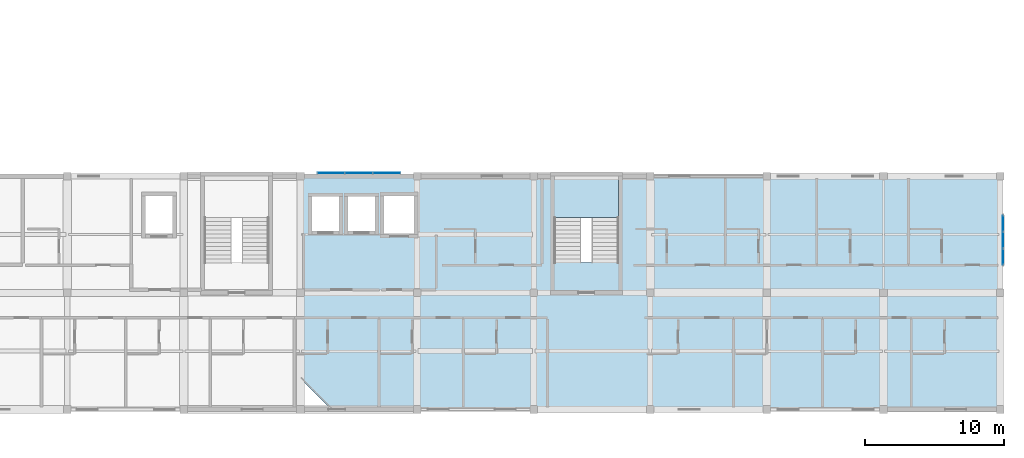
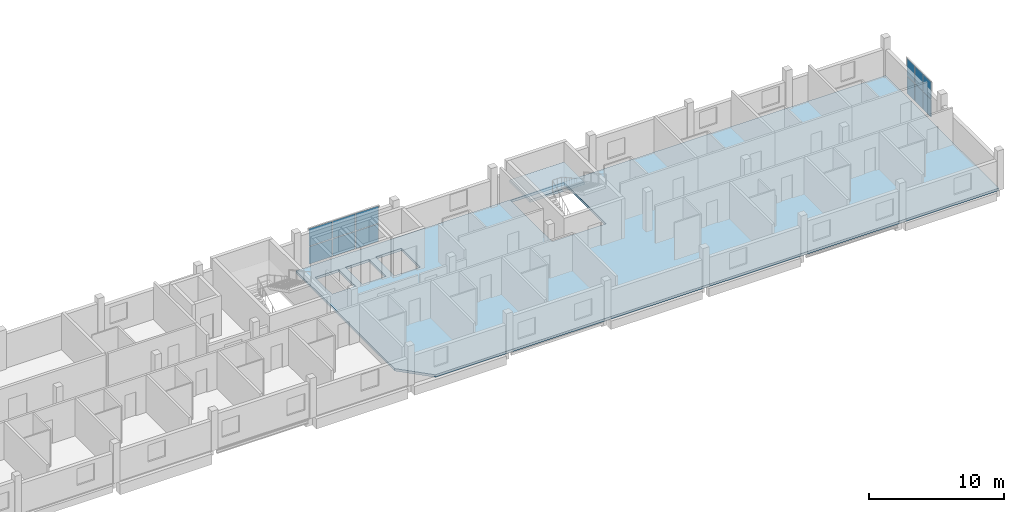
# One storey, part 8 of 20: 12 plates, 2 slabs, 3 elements without a shape of their own.
"""IFC4 building model written with IfcOpenShell, lengths in metres."""

from ifc_helpers import new_model, si_unit, derived_unit, direction, frame, origin, origin_2d, place, context, subcontext, project, spatial, polyline, rectangle, outline, extrude, material, layer, layer_set, type_object, element, aggregate, save


model = new_model("IFC4")

# Units and contexts
model_context = context("Model", 3, precision=1e-05, world=origin(), true_north=direction((0.0, 1.0)))
body_context = subcontext(model_context, "Body", "Model", "MODEL_VIEW")
ifc_project = project(units=[si_unit("LENGTHUNIT", "METRE"), si_unit("AREAUNIT", "SQUARE_METRE"), si_unit("VOLUMEUNIT", "CUBIC_METRE"), si_unit("PLANEANGLEUNIT", "RADIAN"), si_unit("MASSUNIT", "GRAM", prefix="KILO"), derived_unit("THERMALTRANSMITTANCEUNIT", [(si_unit("POWERUNIT", "WATT"), 1), (si_unit("LENGTHUNIT", "METRE"), -2), (si_unit("THERMODYNAMICTEMPERATUREUNIT", "KELVIN"), -1)])], contexts=[model_context])

# Site, building, storey
site_placement = place(None, origin())
site = spatial("IfcSite", under=ifc_project, at=site_placement, CompositionType="ELEMENT")
building_placement = place(site_placement, origin())
building = spatial("IfcBuilding", under=site, at=building_placement, Name="Barrovel Congress Hotel", CompositionType="ELEMENT")
storey_placement = place(building_placement, frame((0.0, 0.0, 36.300048828125)))
storey = spatial("IfcBuildingStorey", under=building, at=storey_placement, Name="L09", CompositionType="ELEMENT", Elevation=36.300048828125)

# Curtain wall, plates
ifc_material_1 = material(Name="Anodised Aluminium Alloy 6063-T6", Category="aluminium")
curtain_wall_type_1 = type_object("IfcCurtainWallType", Name="CW-UN-6000x3200", PredefinedType="USERDEFINED", material=ifc_material_1)
curtain_wall_1_placement = place(storey_placement, origin())
curtain_wall_1 = element("IfcCurtainWall", 1, at=curtain_wall_1_placement, inside=storey, type_object=curtain_wall_type_1, Name="CW:L09:UN-4", ObjectType="UNITISED CURTAIN WALL", PredefinedType="USERDEFINED")
ifc_material_2 = material(Name="Double Low-E Insulated Glazing", Category="glass")
ifc_layer_1 = layer(ifc_material_2, 0.028076171875)
ifc_layer_set_1 = layer_set([ifc_layer_1], Name="Double Low-E Insulated Glazing")
plate_type_1 = type_object("IfcPlateType", Name="CWP-28", PredefinedType="CURTAIN_PANEL", material=ifc_layer_set_1)
plate_1_placement = place(storey_placement, frame((86.199951171875, 21.219970703125, 0.030029296875), z_axis=(0.0, 0.0, 1.0), x_axis=(1.0, 0.0, 0.0)))
plate_1 = element("IfcPlate", 2, at=plate_1_placement, type_object=plate_type_1, Name="CW:L09:UN-4:P0-0", PredefinedType="CURTAIN_PANEL", context=body_context, shape_type="SweptSolid", body=[
    extrude(rectangle(XDim=1.93994140625, YDim=0.028076171875, at=origin_2d()), origin(), (0.0, 0.0, 1.0), 1.56494140625),
])
plate_2_placement = place(storey_placement, frame((86.199951171875, 21.219970703125, 1.655029296875), z_axis=(0.0, 0.0, 1.0), x_axis=(1.0, 0.0, 0.0)))
plate_2 = element("IfcPlate", 3, at=plate_2_placement, type_object=plate_type_1, Name="CW:L09:UN-4:P0-1", PredefinedType="CURTAIN_PANEL", context=body_context, shape_type="SweptSolid", body=[
    extrude(rectangle(XDim=1.93994140625, YDim=0.028076171875, at=origin_2d()), origin(), (0.0, 0.0, 1.0), 1.56494140625),
])
plate_3_placement = place(storey_placement, frame((88.199951171875, 21.219970703125, 0.030029296875), z_axis=(0.0, 0.0, 1.0), x_axis=(1.0, 0.0, 0.0)))
plate_3 = element("IfcPlate", 4, at=plate_3_placement, type_object=plate_type_1, Name="CW:L09:UN-4:P1-0", PredefinedType="CURTAIN_PANEL", context=body_context, shape_type="SweptSolid", body=[
    extrude(rectangle(XDim=1.93994140625, YDim=0.028076171875, at=origin_2d()), origin(), (0.0, 0.0, 1.0), 1.56494140625),
])
plate_4_placement = place(storey_placement, frame((88.199951171875, 21.219970703125, 1.655029296875), z_axis=(0.0, 0.0, 1.0), x_axis=(1.0, 0.0, 0.0)))
plate_4 = element("IfcPlate", 5, at=plate_4_placement, type_object=plate_type_1, Name="CW:L09:UN-4:P1-1", PredefinedType="CURTAIN_PANEL", context=body_context, shape_type="SweptSolid", body=[
    extrude(rectangle(XDim=1.93994140625, YDim=0.028076171875, at=origin_2d()), origin(), (0.0, 0.0, 1.0), 1.56494140625),
])
plate_5_placement = place(storey_placement, frame((90.199951171875, 21.219970703125, 0.030029296875), z_axis=(0.0, 0.0, 1.0), x_axis=(1.0, 0.0, 0.0)))
plate_5 = element("IfcPlate", 6, at=plate_5_placement, type_object=plate_type_1, Name="CW:L09:UN-4:P2-0", PredefinedType="CURTAIN_PANEL", context=body_context, shape_type="SweptSolid", body=[
    extrude(rectangle(XDim=1.93994140625, YDim=0.028076171875, at=origin_2d()), origin(), (0.0, 0.0, 1.0), 1.56494140625),
])
plate_6_placement = place(storey_placement, frame((90.199951171875, 21.219970703125, 1.655029296875), z_axis=(0.0, 0.0, 1.0), x_axis=(1.0, 0.0, 0.0)))
plate_6 = element("IfcPlate", 7, at=plate_6_placement, type_object=plate_type_1, Name="CW:L09:UN-4:P2-1", PredefinedType="CURTAIN_PANEL", context=body_context, shape_type="SweptSolid", body=[
    extrude(rectangle(XDim=1.93994140625, YDim=0.028076171875, at=origin_2d()), origin(), (0.0, 0.0, 1.0), 1.56494140625),
])
aggregate(curtain_wall_1, [plate_1, plate_2, plate_3, plate_4, plate_5, plate_6])

curtain_wall_type_2 = type_object("IfcCurtainWallType", Name="CW-UN-3600x3200", PredefinedType="USERDEFINED", material=ifc_material_1)
curtain_wall_2_placement = place(storey_placement, origin())
curtain_wall_2 = element("IfcCurtainWall", 8, at=curtain_wall_2_placement, inside=storey, type_object=curtain_wall_type_2, Name="CW:L09:UN-1", ObjectType="UNITISED CURTAIN WALL", PredefinedType="USERDEFINED")
ifc_layer_2 = layer(ifc_material_2, 0.031982421875)
ifc_layer_set_2 = layer_set([ifc_layer_2], Name="Double Low-E Insulated Glazing")
plate_type_2 = type_object("IfcPlateType", Name="CWP-32", PredefinedType="CURTAIN_PANEL", material=ifc_layer_set_2)
plate_7_placement = place(storey_placement, frame((134.6201171875, 15.199951171875, 0.030029296875), z_axis=(0.0, 0.0, 1.0), x_axis=(0.0, 1.0, 0.0)))
plate_7 = element("IfcPlate", 9, at=plate_7_placement, type_object=plate_type_2, Name="CW:L09:UN-1:P0-0", PredefinedType="CURTAIN_PANEL", context=body_context, shape_type="SweptSolid", body=[
    extrude(rectangle(XDim=1.139892578125, YDim=0.031982421875, at=origin_2d()), origin(), (0.0, 0.0, 1.0), 1.56494140625),
])
plate_8_placement = place(storey_placement, frame((134.6201171875, 15.199951171875, 1.655029296875), z_axis=(0.0, 0.0, 1.0), x_axis=(0.0, 1.0, 0.0)))
plate_8 = element("IfcPlate", 10, at=plate_8_placement, type_object=plate_type_2, Name="CW:L09:UN-1:P0-1", PredefinedType="CURTAIN_PANEL", context=body_context, shape_type="SweptSolid", body=[
    extrude(rectangle(XDim=1.139892578125, YDim=0.031982421875, at=origin_2d()), origin(), (0.0, 0.0, 1.0), 1.56494140625),
])
plate_9_placement = place(storey_placement, frame((134.6201171875, 16.39990234375, 0.030029296875), z_axis=(0.0, 0.0, 1.0), x_axis=(0.0, 1.0, 0.0)))
plate_9 = element("IfcPlate", 11, at=plate_9_placement, type_object=plate_type_2, Name="CW:L09:UN-1:P1-0", PredefinedType="CURTAIN_PANEL", context=body_context, shape_type="SweptSolid", body=[
    extrude(rectangle(XDim=1.139892578125, YDim=0.031982421875, at=origin_2d()), origin(), (0.0, 0.0, 1.0), 1.56494140625),
])
plate_10_placement = place(storey_placement, frame((134.6201171875, 16.39990234375, 1.655029296875), z_axis=(0.0, 0.0, 1.0), x_axis=(0.0, 1.0, 0.0)))
plate_10 = element("IfcPlate", 12, at=plate_10_placement, type_object=plate_type_2, Name="CW:L09:UN-1:P1-1", PredefinedType="CURTAIN_PANEL", context=body_context, shape_type="SweptSolid", body=[
    extrude(rectangle(XDim=1.139892578125, YDim=0.031982421875, at=origin_2d()), origin(), (0.0, 0.0, 1.0), 1.56494140625),
])
plate_11_placement = place(storey_placement, frame((134.6201171875, 17.60009765625, 0.030029296875), z_axis=(0.0, 0.0, 1.0), x_axis=(0.0, 1.0, 0.0)))
plate_11 = element("IfcPlate", 13, at=plate_11_placement, type_object=plate_type_2, Name="CW:L09:UN-1:P2-0", PredefinedType="CURTAIN_PANEL", context=body_context, shape_type="SweptSolid", body=[
    extrude(rectangle(XDim=1.139892578125, YDim=0.031982421875, at=origin_2d()), origin(), (0.0, 0.0, 1.0), 1.56494140625),
])
plate_12_placement = place(storey_placement, frame((134.6201171875, 17.60009765625, 1.655029296875), z_axis=(0.0, 0.0, 1.0), x_axis=(0.0, 1.0, 0.0)))
plate_12 = element("IfcPlate", 14, at=plate_12_placement, type_object=plate_type_2, Name="CW:L09:UN-1:P2-1", PredefinedType="CURTAIN_PANEL", context=body_context, shape_type="SweptSolid", body=[
    extrude(rectangle(XDim=1.139892578125, YDim=0.031982421875, at=origin_2d()), origin(), (0.0, 0.0, 1.0), 1.56494140625),
])
aggregate(curtain_wall_2, [plate_7, plate_8, plate_9, plate_10, plate_11, plate_12])

# Slab
ifc_material_3 = material(Name="Concrete C35", Category="concrete")
ifc_layer_3 = layer(ifc_material_3, 0.219970703125)
ifc_layer_set_3 = layer_set([ifc_layer_3], Name="Concrete C35")
slab_type_1 = type_object("IfcSlabType", Name="SL-F220", PredefinedType="FLOOR", material=ifc_layer_set_3)
slab_1_placement = place(storey_placement, frame((0.0, 0.0, -0.219970703125)))
element("IfcSlab", 15, at=slab_1_placement, inside=storey, type_object=slab_type_1, Name="SLAB:L09:HOT-S2", PredefinedType="FLOOR", context=body_context, shape_type="SweptSolid", body=[
    extrude(outline(polyline([(86.199951171875, 4.199951171875), (134.39990234375, 4.199951171875), (134.39990234375, 21.0), (84.0, 21.0), (84.0, 6.39990234375), (86.199951171875, 4.199951171875)]), holes=[polyline([(102.300048828125, 14.780029296875), (102.300048828125, 20.919921875), (106.89990234375, 20.919921875), (106.89990234375, 14.780029296875), (102.300048828125, 14.780029296875)]), polyline([(84.800048828125, 17.050048828125), (84.800048828125, 19.550048828125), (86.800048828125, 19.550048828125), (86.800048828125, 17.050048828125), (84.800048828125, 17.050048828125)]), polyline([(87.39990234375, 17.050048828125), (87.39990234375, 19.550048828125), (89.39990234375, 19.550048828125), (89.39990234375, 17.050048828125), (87.39990234375, 17.050048828125)]), polyline([(90.0, 16.800048828125), (90.0, 19.60009765625), (92.199951171875, 19.60009765625), (92.199951171875, 16.800048828125), (90.0, 16.800048828125)])]), origin(), (0.0, 0.0, 1.0), 0.219970703125),
])

# Stair, slab
ifc_material_4 = material(Name="Concrete C40", Category="concrete")
stair_type = type_object("IfcStairType", Name="STR-HT-360", PredefinedType="HALF_TURN_STAIR", material=ifc_material_4)
stair_placement = place(storey_placement, origin())
stair = element("IfcStair", 16, at=stair_placement, inside=storey, type_object=stair_type, Name="Exit Stair XS-03 (L09)", PredefinedType="HALF_TURN_STAIR")
ifc_layer_4 = layer(ifc_material_4, 0.22998046875)
ifc_layer_set_4 = layer_set([ifc_layer_4], Name="Concrete C40")
slab_type_2 = type_object("IfcSlabType", Name="SL-LDG-230", PredefinedType="LANDING", material=ifc_layer_set_4)
slab_2_placement = place(storey_placement, frame((0.0, 0.0, 1.570068359375)))
slab_2 = element("IfcSlab", 17, at=slab_2_placement, type_object=slab_type_2, Name="STAIR:XS-03:L09:LDG", PredefinedType="LANDING", context=body_context, shape_type="SweptSolid", body=[
    extrude(outline(polyline([(102.280029296875, 18.010009765625), (106.919921875, 18.010009765625), (106.919921875, 21.02001953125), (102.280029296875, 21.02001953125), (102.280029296875, 18.010009765625)])), origin(), (0.0, 0.0, 1.0), 0.22998046875),
])
aggregate(stair, [slab_2])

save(model, "model.ifc")
